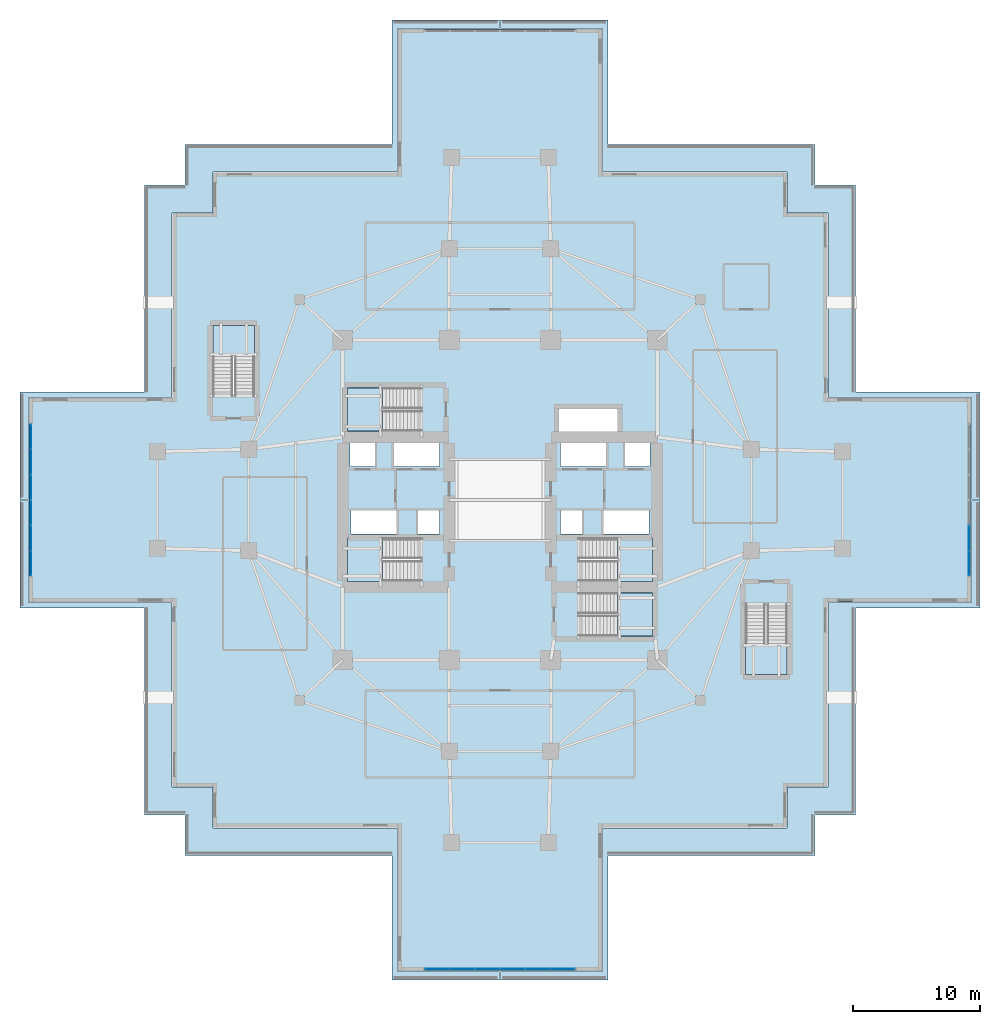
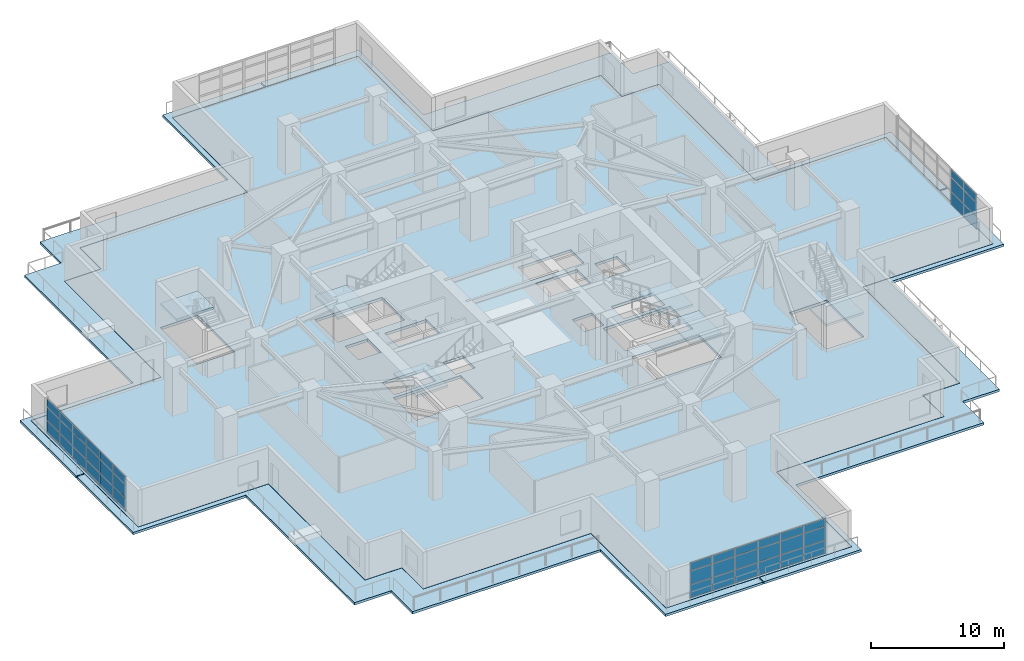
# One storey, part 13 of 24: 42 plates, 11 slabs, 9 elements without a shape of their own.
"""IFC4 building model written with IfcOpenShell, lengths in metres."""

from ifc_helpers import new_model, si_unit, direction, frame, origin, origin_2d, place, context, subcontext, project, spatial, polyline, rectangle, outline, extrude, material, layer, layer_set, type_object, element, aggregate, save


model = new_model("IFC4")

# Units and contexts
model_context = context("Model", 3, precision=1e-05, world=origin(), true_north=direction((0.0, 1.0)))
body_context = subcontext(model_context, "Body", "Model", "MODEL_VIEW")
ifc_project = project(units=[si_unit("LENGTHUNIT", "METRE"), si_unit("AREAUNIT", "SQUARE_METRE"), si_unit("VOLUMEUNIT", "CUBIC_METRE"), si_unit("PLANEANGLEUNIT", "RADIAN"), si_unit("MASSUNIT", "GRAM", prefix="KILO")], contexts=[model_context])

# Site, building, storey
site_placement = place(None, origin())
site = spatial("IfcSite", under=ifc_project, at=site_placement, CompositionType="ELEMENT")
building_placement = place(site_placement, origin())
building = spatial("IfcBuilding", under=site, at=building_placement, Name="Qingluan Cross Belvedere", CompositionType="ELEMENT")
storey_placement = place(building_placement, frame((0.0, 0.0, 14.699951171875)))
storey = spatial("IfcBuildingStorey", under=building, at=storey_placement, Name="L04", CompositionType="ELEMENT", Elevation=14.699951171875)

# Curtain wall, plates
ifc_material_1 = material(Name="Thermally broken aluminium and Low-E glass", Category="aluminium")
ifc_layer_1 = layer(ifc_material_1, 0.219970703125, Name="UnitisedCW_BallroomFoyer")
ifc_layer_set_1 = layer_set([ifc_layer_1], Name="Thermally broken aluminium and Low-E glass")
curtain_wall_type = type_object("IfcCurtainWallType", Name="UnitisedCW_BallroomFoyer", PredefinedType="USERDEFINED", material=ifc_layer_set_1)
curtain_wall_1_placement = place(storey_placement, origin())
curtain_wall_1 = element("IfcCurtainWall", 1, at=curtain_wall_1_placement, inside=storey, type_object=curtain_wall_type, Name="UnitisedCW_BallroomFoyer run env:cw:L04:S", ObjectType="UNITISED CURTAIN WALL", PredefinedType="USERDEFINED")
ifc_material_2 = material(Name="Ceramic-fritted insulated spandrel glass", Category="glass")
ifc_layer_2 = layer(ifc_material_2, 0.0439453125, Name="CWSpandrelPanel_44")
ifc_layer_set_2 = layer_set([ifc_layer_2], Name="Ceramic-fritted insulated spandrel glass")
plate_type = type_object("IfcPlateType", Name="CWSpandrelPanel_44", PredefinedType="CURTAIN_PANEL", material=ifc_layer_set_2)
plate_1_placement = place(storey_placement, frame((4.9267578125, -36.93994140625, 0.06005859375), z_axis=(0.0, 0.0, 1.0), x_axis=(-1.0, 0.0, 0.0)))
plate_1 = element("IfcPlate", 2, at=plate_1_placement, type_object=plate_type, Name="CW-P2 panel 1.1", PredefinedType="CURTAIN_PANEL", context=body_context, shape_type="SweptSolid", body=[
    extrude(rectangle(XDim=1.88671875, YDim=0.028076171875, at=origin_2d()), origin(), (0.0, 0.0, 1.0), 1.175048828125),
])
plate_2_placement = place(storey_placement, frame((4.9267578125, -36.93994140625, 1.294921875), z_axis=(0.0, 0.0, 1.0), x_axis=(-1.0, 0.0, 0.0)))
plate_2 = element("IfcPlate", 3, at=plate_2_placement, type_object=plate_type, Name="CW-P2 panel 1.2", PredefinedType="CURTAIN_PANEL", context=body_context, shape_type="SweptSolid", body=[
    extrude(rectangle(XDim=1.88671875, YDim=0.028076171875, at=origin_2d()), origin(), (0.0, 0.0, 1.0), 1.2060546875),
])
plate_3_placement = place(storey_placement, frame((4.9267578125, -36.93994140625, 2.56103515625), z_axis=(0.0, 0.0, 1.0), x_axis=(-1.0, 0.0, 0.0)))
plate_3 = element("IfcPlate", 4, at=plate_3_placement, type_object=plate_type, Name="CW-P2 panel 1.3", PredefinedType="CURTAIN_PANEL", context=body_context, shape_type="SweptSolid", body=[
    extrude(rectangle(XDim=1.88671875, YDim=0.028076171875, at=origin_2d()), origin(), (0.0, 0.0, 1.0), 0.708984375),
])
plate_4_placement = place(storey_placement, frame((2.965087890625, -36.93994140625, 0.06005859375), z_axis=(0.0, 0.0, 1.0), x_axis=(-1.0, 0.0, 0.0)))
plate_4 = element("IfcPlate", 5, at=plate_4_placement, type_object=plate_type, Name="CW-P2 panel 2.1", PredefinedType="CURTAIN_PANEL", context=body_context, shape_type="SweptSolid", body=[
    extrude(rectangle(XDim=1.916748046875, YDim=0.028076171875, at=origin_2d()), origin(), (0.0, 0.0, 1.0), 1.175048828125),
])
plate_5_placement = place(storey_placement, frame((2.965087890625, -36.93994140625, 1.294921875), z_axis=(0.0, 0.0, 1.0), x_axis=(-1.0, 0.0, 0.0)))
plate_5 = element("IfcPlate", 6, at=plate_5_placement, type_object=plate_type, Name="CW-P2 panel 2.2", PredefinedType="CURTAIN_PANEL", context=body_context, shape_type="SweptSolid", body=[
    extrude(rectangle(XDim=1.916748046875, YDim=0.028076171875, at=origin_2d()), origin(), (0.0, 0.0, 1.0), 1.2060546875),
])
plate_6_placement = place(storey_placement, frame((2.965087890625, -36.93994140625, 2.56103515625), z_axis=(0.0, 0.0, 1.0), x_axis=(-1.0, 0.0, 0.0)))
plate_6 = element("IfcPlate", 7, at=plate_6_placement, type_object=plate_type, Name="CW-P2 panel 2.3", PredefinedType="CURTAIN_PANEL", context=body_context, shape_type="SweptSolid", body=[
    extrude(rectangle(XDim=1.916748046875, YDim=0.028076171875, at=origin_2d()), origin(), (0.0, 0.0, 1.0), 0.708984375),
])
plate_7_placement = place(storey_placement, frame((0.98828125, -36.93994140625, 0.06005859375), z_axis=(0.0, 0.0, 1.0), x_axis=(-1.0, 0.0, 0.0)))
plate_7 = element("IfcPlate", 8, at=plate_7_placement, type_object=plate_type, Name="CW-P2 panel 3.1", PredefinedType="CURTAIN_PANEL", context=body_context, shape_type="SweptSolid", body=[
    extrude(rectangle(XDim=1.916748046875, YDim=0.028076171875, at=origin_2d()), origin(), (0.0, 0.0, 1.0), 1.175048828125),
])
plate_8_placement = place(storey_placement, frame((0.98828125, -36.93994140625, 1.294921875), z_axis=(0.0, 0.0, 1.0), x_axis=(-1.0, 0.0, 0.0)))
plate_8 = element("IfcPlate", 9, at=plate_8_placement, type_object=plate_type, Name="CW-P2 panel 3.2", PredefinedType="CURTAIN_PANEL", context=body_context, shape_type="SweptSolid", body=[
    extrude(rectangle(XDim=1.916748046875, YDim=0.028076171875, at=origin_2d()), origin(), (0.0, 0.0, 1.0), 1.2060546875),
])
plate_9_placement = place(storey_placement, frame((0.98828125, -36.93994140625, 2.56103515625), z_axis=(0.0, 0.0, 1.0), x_axis=(-1.0, 0.0, 0.0)))
plate_9 = element("IfcPlate", 10, at=plate_9_placement, type_object=plate_type, Name="CW-P2 panel 3.3", PredefinedType="CURTAIN_PANEL", context=body_context, shape_type="SweptSolid", body=[
    extrude(rectangle(XDim=1.916748046875, YDim=0.028076171875, at=origin_2d()), origin(), (0.0, 0.0, 1.0), 0.708984375),
])
plate_10_placement = place(storey_placement, frame((-0.98828125, -36.93994140625, 0.06005859375), z_axis=(0.0, 0.0, 1.0), x_axis=(-1.0, 0.0, 0.0)))
plate_10 = element("IfcPlate", 11, at=plate_10_placement, type_object=plate_type, Name="CW-P2 panel 4.1", PredefinedType="CURTAIN_PANEL", context=body_context, shape_type="SweptSolid", body=[
    extrude(rectangle(XDim=1.916748046875, YDim=0.028076171875, at=origin_2d()), origin(), (0.0, 0.0, 1.0), 1.175048828125),
])
plate_11_placement = place(storey_placement, frame((-0.98828125, -36.93994140625, 1.294921875), z_axis=(0.0, 0.0, 1.0), x_axis=(-1.0, 0.0, 0.0)))
plate_11 = element("IfcPlate", 12, at=plate_11_placement, type_object=plate_type, Name="CW-P2 panel 4.2", PredefinedType="CURTAIN_PANEL", context=body_context, shape_type="SweptSolid", body=[
    extrude(rectangle(XDim=1.916748046875, YDim=0.028076171875, at=origin_2d()), origin(), (0.0, 0.0, 1.0), 1.2060546875),
])
plate_12_placement = place(storey_placement, frame((-0.98828125, -36.93994140625, 2.56103515625), z_axis=(0.0, 0.0, 1.0), x_axis=(-1.0, 0.0, 0.0)))
plate_12 = element("IfcPlate", 13, at=plate_12_placement, type_object=plate_type, Name="CW-P2 panel 4.3", PredefinedType="CURTAIN_PANEL", context=body_context, shape_type="SweptSolid", body=[
    extrude(rectangle(XDim=1.916748046875, YDim=0.028076171875, at=origin_2d()), origin(), (0.0, 0.0, 1.0), 0.708984375),
])
plate_13_placement = place(storey_placement, frame((-2.965087890625, -36.93994140625, 0.06005859375), z_axis=(0.0, 0.0, 1.0), x_axis=(-1.0, 0.0, 0.0)))
plate_13 = element("IfcPlate", 14, at=plate_13_placement, type_object=plate_type, Name="CW-P2 panel 5.1", PredefinedType="CURTAIN_PANEL", context=body_context, shape_type="SweptSolid", body=[
    extrude(rectangle(XDim=1.916748046875, YDim=0.028076171875, at=origin_2d()), origin(), (0.0, 0.0, 1.0), 1.175048828125),
])
plate_14_placement = place(storey_placement, frame((-2.965087890625, -36.93994140625, 1.294921875), z_axis=(0.0, 0.0, 1.0), x_axis=(-1.0, 0.0, 0.0)))
plate_14 = element("IfcPlate", 15, at=plate_14_placement, type_object=plate_type, Name="CW-P2 panel 5.2", PredefinedType="CURTAIN_PANEL", context=body_context, shape_type="SweptSolid", body=[
    extrude(rectangle(XDim=1.916748046875, YDim=0.028076171875, at=origin_2d()), origin(), (0.0, 0.0, 1.0), 1.2060546875),
])
plate_15_placement = place(storey_placement, frame((-2.965087890625, -36.93994140625, 2.56103515625), z_axis=(0.0, 0.0, 1.0), x_axis=(-1.0, 0.0, 0.0)))
plate_15 = element("IfcPlate", 16, at=plate_15_placement, type_object=plate_type, Name="CW-P2 panel 5.3", PredefinedType="CURTAIN_PANEL", context=body_context, shape_type="SweptSolid", body=[
    extrude(rectangle(XDim=1.916748046875, YDim=0.028076171875, at=origin_2d()), origin(), (0.0, 0.0, 1.0), 0.708984375),
])
plate_16_placement = place(storey_placement, frame((-4.9267578125, -36.93994140625, 0.06005859375), z_axis=(0.0, 0.0, 1.0), x_axis=(-1.0, 0.0, 0.0)))
plate_16 = element("IfcPlate", 17, at=plate_16_placement, type_object=plate_type, Name="CW-P2 panel 6.1", PredefinedType="CURTAIN_PANEL", context=body_context, shape_type="SweptSolid", body=[
    extrude(rectangle(XDim=1.88671875, YDim=0.028076171875, at=origin_2d()), origin(), (0.0, 0.0, 1.0), 1.175048828125),
])
plate_17_placement = place(storey_placement, frame((-4.9267578125, -36.93994140625, 1.294921875), z_axis=(0.0, 0.0, 1.0), x_axis=(-1.0, 0.0, 0.0)))
plate_17 = element("IfcPlate", 18, at=plate_17_placement, type_object=plate_type, Name="CW-P2 panel 6.2", PredefinedType="CURTAIN_PANEL", context=body_context, shape_type="SweptSolid", body=[
    extrude(rectangle(XDim=1.88671875, YDim=0.028076171875, at=origin_2d()), origin(), (0.0, 0.0, 1.0), 1.2060546875),
])
plate_18_placement = place(storey_placement, frame((-4.9267578125, -36.93994140625, 2.56103515625), z_axis=(0.0, 0.0, 1.0), x_axis=(-1.0, 0.0, 0.0)))
plate_18 = element("IfcPlate", 19, at=plate_18_placement, type_object=plate_type, Name="CW-P2 panel 6.3", PredefinedType="CURTAIN_PANEL", context=body_context, shape_type="SweptSolid", body=[
    extrude(rectangle(XDim=1.88671875, YDim=0.028076171875, at=origin_2d()), origin(), (0.0, 0.0, 1.0), 0.708984375),
])
aggregate(curtain_wall_1, [plate_1, plate_2, plate_3, plate_4, plate_5, plate_6, plate_7, plate_8, plate_9, plate_10, plate_11, plate_12, plate_13, plate_14, plate_15, plate_16, plate_17, plate_18])

curtain_wall_2_placement = place(storey_placement, origin())
curtain_wall_2 = element("IfcCurtainWall", 20, at=curtain_wall_2_placement, inside=storey, type_object=curtain_wall_type, Name="UnitisedCW_BallroomFoyer run env:cw:L04:W", ObjectType="UNITISED CURTAIN WALL", PredefinedType="USERDEFINED")
plate_19_placement = place(storey_placement, frame((-36.93994140625, -4.985107421875, 0.06005859375), z_axis=(0.0, 0.0, 1.0), x_axis=(0.0, 1.0, 0.0)))
plate_19 = element("IfcPlate", 21, at=plate_19_placement, type_object=plate_type, Name="CW-P2 panel 1.1", PredefinedType="CURTAIN_PANEL", context=body_context, shape_type="SweptSolid", body=[
    extrude(rectangle(XDim=1.909912109375, YDim=0.028076171875, at=origin_2d()), origin(), (0.0, 0.0, 1.0), 1.175048828125),
])
plate_20_placement = place(storey_placement, frame((-36.93994140625, -4.985107421875, 1.294921875), z_axis=(0.0, 0.0, 1.0), x_axis=(0.0, 1.0, 0.0)))
plate_20 = element("IfcPlate", 22, at=plate_20_placement, type_object=plate_type, Name="CW-P2 panel 1.2", PredefinedType="CURTAIN_PANEL", context=body_context, shape_type="SweptSolid", body=[
    extrude(rectangle(XDim=1.909912109375, YDim=0.028076171875, at=origin_2d()), origin(), (0.0, 0.0, 1.0), 1.2060546875),
])
plate_21_placement = place(storey_placement, frame((-36.93994140625, -4.985107421875, 2.56103515625), z_axis=(0.0, 0.0, 1.0), x_axis=(0.0, 1.0, 0.0)))
plate_21 = element("IfcPlate", 23, at=plate_21_placement, type_object=plate_type, Name="CW-P2 panel 1.3", PredefinedType="CURTAIN_PANEL", context=body_context, shape_type="SweptSolid", body=[
    extrude(rectangle(XDim=1.909912109375, YDim=0.028076171875, at=origin_2d()), origin(), (0.0, 0.0, 1.0), 0.708984375),
])
plate_22_placement = place(storey_placement, frame((-36.93994140625, -3.0, 0.06005859375), z_axis=(0.0, 0.0, 1.0), x_axis=(0.0, 1.0, 0.0)))
plate_22 = element("IfcPlate", 24, at=plate_22_placement, type_object=plate_type, Name="CW-P2 panel 2.1", PredefinedType="CURTAIN_PANEL", context=body_context, shape_type="SweptSolid", body=[
    extrude(rectangle(XDim=1.93994140625, YDim=0.028076171875, at=origin_2d()), origin(), (0.0, 0.0, 1.0), 1.175048828125),
])
plate_23_placement = place(storey_placement, frame((-36.93994140625, -3.0, 1.294921875), z_axis=(0.0, 0.0, 1.0), x_axis=(0.0, 1.0, 0.0)))
plate_23 = element("IfcPlate", 25, at=plate_23_placement, type_object=plate_type, Name="CW-P2 panel 2.2", PredefinedType="CURTAIN_PANEL", context=body_context, shape_type="SweptSolid", body=[
    extrude(rectangle(XDim=1.93994140625, YDim=0.028076171875, at=origin_2d()), origin(), (0.0, 0.0, 1.0), 1.2060546875),
])
plate_24_placement = place(storey_placement, frame((-36.93994140625, -3.0, 2.56103515625), z_axis=(0.0, 0.0, 1.0), x_axis=(0.0, 1.0, 0.0)))
plate_24 = element("IfcPlate", 26, at=plate_24_placement, type_object=plate_type, Name="CW-P2 panel 2.3", PredefinedType="CURTAIN_PANEL", context=body_context, shape_type="SweptSolid", body=[
    extrude(rectangle(XDim=1.93994140625, YDim=0.028076171875, at=origin_2d()), origin(), (0.0, 0.0, 1.0), 0.708984375),
])
plate_25_placement = place(storey_placement, frame((-36.93994140625, -1.0, 0.06005859375), z_axis=(0.0, 0.0, 1.0), x_axis=(0.0, 1.0, 0.0)))
plate_25 = element("IfcPlate", 27, at=plate_25_placement, type_object=plate_type, Name="CW-P2 panel 3.1", PredefinedType="CURTAIN_PANEL", context=body_context, shape_type="SweptSolid", body=[
    extrude(rectangle(XDim=1.93994140625, YDim=0.028076171875, at=origin_2d()), origin(), (0.0, 0.0, 1.0), 1.175048828125),
])
plate_26_placement = place(storey_placement, frame((-36.93994140625, -1.0, 1.294921875), z_axis=(0.0, 0.0, 1.0), x_axis=(0.0, 1.0, 0.0)))
plate_26 = element("IfcPlate", 28, at=plate_26_placement, type_object=plate_type, Name="CW-P2 panel 3.2", PredefinedType="CURTAIN_PANEL", context=body_context, shape_type="SweptSolid", body=[
    extrude(rectangle(XDim=1.93994140625, YDim=0.028076171875, at=origin_2d()), origin(), (0.0, 0.0, 1.0), 1.2060546875),
])
plate_27_placement = place(storey_placement, frame((-36.93994140625, -1.0, 2.56103515625), z_axis=(0.0, 0.0, 1.0), x_axis=(0.0, 1.0, 0.0)))
plate_27 = element("IfcPlate", 29, at=plate_27_placement, type_object=plate_type, Name="CW-P2 panel 3.3", PredefinedType="CURTAIN_PANEL", context=body_context, shape_type="SweptSolid", body=[
    extrude(rectangle(XDim=1.93994140625, YDim=0.028076171875, at=origin_2d()), origin(), (0.0, 0.0, 1.0), 0.708984375),
])
plate_28_placement = place(storey_placement, frame((-36.93994140625, 1.0, 0.06005859375), z_axis=(0.0, 0.0, 1.0), x_axis=(0.0, 1.0, 0.0)))
plate_28 = element("IfcPlate", 30, at=plate_28_placement, type_object=plate_type, Name="CW-P2 panel 4.1", PredefinedType="CURTAIN_PANEL", context=body_context, shape_type="SweptSolid", body=[
    extrude(rectangle(XDim=1.93994140625, YDim=0.028076171875, at=origin_2d()), origin(), (0.0, 0.0, 1.0), 1.175048828125),
])
plate_29_placement = place(storey_placement, frame((-36.93994140625, 1.0, 1.294921875), z_axis=(0.0, 0.0, 1.0), x_axis=(0.0, 1.0, 0.0)))
plate_29 = element("IfcPlate", 31, at=plate_29_placement, type_object=plate_type, Name="CW-P2 panel 4.2", PredefinedType="CURTAIN_PANEL", context=body_context, shape_type="SweptSolid", body=[
    extrude(rectangle(XDim=1.93994140625, YDim=0.028076171875, at=origin_2d()), origin(), (0.0, 0.0, 1.0), 1.2060546875),
])
plate_30_placement = place(storey_placement, frame((-36.93994140625, 1.0, 2.56103515625), z_axis=(0.0, 0.0, 1.0), x_axis=(0.0, 1.0, 0.0)))
plate_30 = element("IfcPlate", 32, at=plate_30_placement, type_object=plate_type, Name="CW-P2 panel 4.3", PredefinedType="CURTAIN_PANEL", context=body_context, shape_type="SweptSolid", body=[
    extrude(rectangle(XDim=1.93994140625, YDim=0.028076171875, at=origin_2d()), origin(), (0.0, 0.0, 1.0), 0.708984375),
])
plate_31_placement = place(storey_placement, frame((-36.93994140625, 3.0, 0.06005859375), z_axis=(0.0, 0.0, 1.0), x_axis=(0.0, 1.0, 0.0)))
plate_31 = element("IfcPlate", 33, at=plate_31_placement, type_object=plate_type, Name="CW-P2 panel 5.1", PredefinedType="CURTAIN_PANEL", context=body_context, shape_type="SweptSolid", body=[
    extrude(rectangle(XDim=1.93994140625, YDim=0.028076171875, at=origin_2d()), origin(), (0.0, 0.0, 1.0), 1.175048828125),
])
plate_32_placement = place(storey_placement, frame((-36.93994140625, 3.0, 1.294921875), z_axis=(0.0, 0.0, 1.0), x_axis=(0.0, 1.0, 0.0)))
plate_32 = element("IfcPlate", 34, at=plate_32_placement, type_object=plate_type, Name="CW-P2 panel 5.2", PredefinedType="CURTAIN_PANEL", context=body_context, shape_type="SweptSolid", body=[
    extrude(rectangle(XDim=1.93994140625, YDim=0.028076171875, at=origin_2d()), origin(), (0.0, 0.0, 1.0), 1.2060546875),
])
plate_33_placement = place(storey_placement, frame((-36.93994140625, 3.0, 2.56103515625), z_axis=(0.0, 0.0, 1.0), x_axis=(0.0, 1.0, 0.0)))
plate_33 = element("IfcPlate", 35, at=plate_33_placement, type_object=plate_type, Name="CW-P2 panel 5.3", PredefinedType="CURTAIN_PANEL", context=body_context, shape_type="SweptSolid", body=[
    extrude(rectangle(XDim=1.93994140625, YDim=0.028076171875, at=origin_2d()), origin(), (0.0, 0.0, 1.0), 0.708984375),
])
plate_34_placement = place(storey_placement, frame((-36.93994140625, 4.985107421875, 0.06005859375), z_axis=(0.0, 0.0, 1.0), x_axis=(0.0, 1.0, 0.0)))
plate_34 = element("IfcPlate", 36, at=plate_34_placement, type_object=plate_type, Name="CW-P2 panel 6.1", PredefinedType="CURTAIN_PANEL", context=body_context, shape_type="SweptSolid", body=[
    extrude(rectangle(XDim=1.909912109375, YDim=0.028076171875, at=origin_2d()), origin(), (0.0, 0.0, 1.0), 1.175048828125),
])
plate_35_placement = place(storey_placement, frame((-36.93994140625, 4.985107421875, 1.294921875), z_axis=(0.0, 0.0, 1.0), x_axis=(0.0, 1.0, 0.0)))
plate_35 = element("IfcPlate", 37, at=plate_35_placement, type_object=plate_type, Name="CW-P2 panel 6.2", PredefinedType="CURTAIN_PANEL", context=body_context, shape_type="SweptSolid", body=[
    extrude(rectangle(XDim=1.909912109375, YDim=0.028076171875, at=origin_2d()), origin(), (0.0, 0.0, 1.0), 1.2060546875),
])
plate_36_placement = place(storey_placement, frame((-36.93994140625, 4.985107421875, 2.56103515625), z_axis=(0.0, 0.0, 1.0), x_axis=(0.0, 1.0, 0.0)))
plate_36 = element("IfcPlate", 38, at=plate_36_placement, type_object=plate_type, Name="CW-P2 panel 6.3", PredefinedType="CURTAIN_PANEL", context=body_context, shape_type="SweptSolid", body=[
    extrude(rectangle(XDim=1.909912109375, YDim=0.028076171875, at=origin_2d()), origin(), (0.0, 0.0, 1.0), 0.708984375),
])
aggregate(curtain_wall_2, [plate_19, plate_20, plate_21, plate_22, plate_23, plate_24, plate_25, plate_26, plate_27, plate_28, plate_29, plate_30, plate_31, plate_32, plate_33, plate_34, plate_35, plate_36])

curtain_wall_3_placement = place(storey_placement, origin())
curtain_wall_3 = element("IfcCurtainWall", 39, at=curtain_wall_3_placement, inside=storey, type_object=curtain_wall_type, Name="UnitisedCW_BallroomFoyer run env:cw:L04:E", ObjectType="UNITISED CURTAIN WALL", PredefinedType="USERDEFINED")
plate_37_placement = place(storey_placement, frame((36.93994140625, -3.0, 0.06005859375), z_axis=(0.0, 0.0, 1.0), x_axis=(0.0, -1.0, 0.0)))
plate_37 = element("IfcPlate", 40, at=plate_37_placement, type_object=plate_type, Name="CW-P2 panel 5.1", PredefinedType="CURTAIN_PANEL", context=body_context, shape_type="SweptSolid", body=[
    extrude(rectangle(XDim=1.93994140625, YDim=0.028076171875, at=origin_2d()), origin(), (0.0, 0.0, 1.0), 1.175048828125),
])
plate_38_placement = place(storey_placement, frame((36.93994140625, -3.0, 1.294921875), z_axis=(0.0, 0.0, 1.0), x_axis=(0.0, -1.0, 0.0)))
plate_38 = element("IfcPlate", 41, at=plate_38_placement, type_object=plate_type, Name="CW-P2 panel 5.2", PredefinedType="CURTAIN_PANEL", context=body_context, shape_type="SweptSolid", body=[
    extrude(rectangle(XDim=1.93994140625, YDim=0.028076171875, at=origin_2d()), origin(), (0.0, 0.0, 1.0), 1.2060546875),
])
plate_39_placement = place(storey_placement, frame((36.93994140625, -3.0, 2.56103515625), z_axis=(0.0, 0.0, 1.0), x_axis=(0.0, -1.0, 0.0)))
plate_39 = element("IfcPlate", 42, at=plate_39_placement, type_object=plate_type, Name="CW-P2 panel 5.3", PredefinedType="CURTAIN_PANEL", context=body_context, shape_type="SweptSolid", body=[
    extrude(rectangle(XDim=1.93994140625, YDim=0.028076171875, at=origin_2d()), origin(), (0.0, 0.0, 1.0), 0.708984375),
])
plate_40_placement = place(storey_placement, frame((36.93994140625, -4.985107421875, 0.06005859375), z_axis=(0.0, 0.0, 1.0), x_axis=(0.0, -1.0, 0.0)))
plate_40 = element("IfcPlate", 43, at=plate_40_placement, type_object=plate_type, Name="CW-P2 panel 6.1", PredefinedType="CURTAIN_PANEL", context=body_context, shape_type="SweptSolid", body=[
    extrude(rectangle(XDim=1.909912109375, YDim=0.028076171875, at=origin_2d()), origin(), (0.0, 0.0, 1.0), 1.175048828125),
])
plate_41_placement = place(storey_placement, frame((36.93994140625, -4.985107421875, 1.294921875), z_axis=(0.0, 0.0, 1.0), x_axis=(0.0, -1.0, 0.0)))
plate_41 = element("IfcPlate", 44, at=plate_41_placement, type_object=plate_type, Name="CW-P2 panel 6.2", PredefinedType="CURTAIN_PANEL", context=body_context, shape_type="SweptSolid", body=[
    extrude(rectangle(XDim=1.909912109375, YDim=0.028076171875, at=origin_2d()), origin(), (0.0, 0.0, 1.0), 1.2060546875),
])
plate_42_placement = place(storey_placement, frame((36.93994140625, -4.985107421875, 2.56103515625), z_axis=(0.0, 0.0, 1.0), x_axis=(0.0, -1.0, 0.0)))
plate_42 = element("IfcPlate", 45, at=plate_42_placement, type_object=plate_type, Name="CW-P2 panel 6.3", PredefinedType="CURTAIN_PANEL", context=body_context, shape_type="SweptSolid", body=[
    extrude(rectangle(XDim=1.909912109375, YDim=0.028076171875, at=origin_2d()), origin(), (0.0, 0.0, 1.0), 0.708984375),
])
aggregate(curtain_wall_3, [plate_37, plate_38, plate_39, plate_40, plate_41, plate_42])

# Slab
ifc_material_3 = material(Name="Concrete C40", Category="concrete")
ifc_layer_3 = layer(ifc_material_3, 0.25, Name="FloorSlab_250")
ifc_layer_set_3 = layer_set([ifc_layer_3], Name="Concrete C40")
slab_type_1 = type_object("IfcSlabType", Name="FloorSlab_250", PredefinedType="FLOOR", material=ifc_layer_set_3)
slab_1_placement = place(storey_placement, frame((0.0, 0.0, -0.25)))
element("IfcSlab", 46, at=slab_1_placement, inside=storey, type_object=slab_type_1, Name="Structural floor slab L04", PredefinedType="FLOOR", context=body_context, shape_type="SweptSolid", body=[
    extrude(outline(polyline([(22.60009765625, -25.800048828125), (22.60009765625, -22.60009765625), (25.800048828125, -22.60009765625), (25.800048828125, -8.050048828125), (37.10009765625, -8.050048828125), (37.10009765625, 8.050048828125), (25.800048828125, 8.050048828125), (25.800048828125, 22.60009765625), (22.60009765625, 22.60009765625), (22.60009765625, 25.800048828125), (8.050048828125, 25.800048828125), (8.050048828125, 37.10009765625), (-8.050048828125, 37.10009765625), (-8.050048828125, 25.800048828125), (-22.60009765625, 25.800048828125), (-22.60009765625, 22.60009765625), (-25.800048828125, 22.60009765625), (-25.800048828125, 8.050048828125), (-37.10009765625, 8.050048828125), (-37.10009765625, -8.050048828125), (-25.800048828125, -8.050048828125), (-25.800048828125, -22.60009765625), (-22.60009765625, -22.60009765625), (-22.60009765625, -25.800048828125), (-8.050048828125, -25.800048828125), (-8.050048828125, -37.10009765625), (8.050048828125, -37.10009765625), (8.050048828125, -25.800048828125), (22.60009765625, -25.800048828125)]), holes=[polyline([(-12.0, -3.0), (-6.179931640625, -3.0), (-6.179931640625, -6.39990234375), (-12.0, -6.39990234375), (-12.0, -3.0)]), polyline([(6.179931640625, -3.0), (12.0, -3.0), (12.0, -6.39990234375), (6.179931640625, -6.39990234375), (6.179931640625, -3.0)]), polyline([(-12.0, 8.820068359375), (-6.179931640625, 8.820068359375), (-6.179931640625, 5.419921875), (-12.0, 5.419921875), (-12.0, 8.820068359375)]), polyline([(6.179931640625, -7.320068359375), (12.0, -7.320068359375), (12.0, -10.719970703125), (6.179931640625, -10.719970703125), (6.179931640625, -7.320068359375)]), polyline([(-22.60009765625, 13.72998046875), (-19.340087890625, 13.72998046875), (-19.340087890625, 8.2099609375), (-22.60009765625, 8.2099609375), (-22.60009765625, 13.72998046875)]), polyline([(19.340087890625, -8.2099609375), (22.60009765625, -8.2099609375), (22.60009765625, -13.72998046875), (19.340087890625, -13.72998046875), (19.340087890625, -8.2099609375)]), polyline([(-11.800048828125, 4.64990234375), (-9.85009765625, 4.64990234375), (-9.85009765625, 2.64990234375), (-11.800048828125, 2.64990234375), (-11.800048828125, 4.64990234375)]), polyline([(-8.35009765625, 4.64990234375), (-4.75, 4.64990234375), (-4.75, 2.64990234375), (-8.35009765625, 2.64990234375), (-8.35009765625, 4.64990234375)]), polyline([(4.75, 4.64990234375), (8.35009765625, 4.64990234375), (8.35009765625, 2.64990234375), (4.75, 2.64990234375), (4.75, 4.64990234375)]), polyline([(9.85009765625, 4.64990234375), (11.800048828125, 4.64990234375), (11.800048828125, 2.64990234375), (9.85009765625, 2.64990234375), (9.85009765625, 4.64990234375)]), polyline([(-11.75, -0.840087890625), (-8.14990234375, -0.840087890625), (-8.14990234375, -2.659912109375), (-11.75, -2.659912109375), (-11.75, -0.840087890625)]), polyline([(-6.449951171875, -0.840087890625), (-4.75, -0.840087890625), (-4.75, -2.659912109375), (-6.449951171875, -2.659912109375), (-6.449951171875, -0.840087890625)]), polyline([(4.75, -0.840087890625), (6.449951171875, -0.840087890625), (6.449951171875, -2.659912109375), (4.75, -2.659912109375), (4.75, -0.840087890625)]), polyline([(8.14990234375, -0.840087890625), (11.75, -0.840087890625), (11.75, -2.659912109375), (8.14990234375, -2.659912109375), (8.14990234375, -0.840087890625)]), polyline([(4.64990234375, 7.14990234375), (9.25, 7.14990234375), (9.25, 5.14990234375), (4.64990234375, 5.14990234375), (4.64990234375, 7.14990234375)])]), origin(), (0.0, 0.0, 1.0), 0.25),
])

# Stair, slab
ifc_material_4 = material(Name="Concrete C40", Category="concrete")
stair_type_1 = type_object("IfcStairType", Name="CoreDoglegStair_1620", PredefinedType="HALF_TURN_STAIR", material=ifc_material_4)
stair_1_placement = place(storey_placement, origin())
stair_1 = element("IfcStair", 47, at=stair_1_placement, inside=storey, type_object=stair_type_1, Name="L04 ST1", PredefinedType="HALF_TURN_STAIR")
ifc_material_5 = material(Name="Concrete C40", Category="concrete")
ifc_layer_4 = layer(ifc_material_5, 0.179931640625, Name="StairLandingSlab_180")
ifc_layer_set_4 = layer_set([ifc_layer_4], Name="Concrete C40")
slab_type_2 = type_object("IfcSlabType", Name="StairLandingSlab_180", PredefinedType="LANDING", material=ifc_layer_set_4)
slab_2_placement = place(storey_placement, frame((0.0, 0.0, 2.050048828125)))
slab_2 = element("IfcSlab", 48, at=slab_2_placement, type_object=slab_type_2, Name="ST1 landing 1", PredefinedType="LANDING", context=body_context, shape_type="SweptSolid", body=[
    extrude(outline(polyline([(-9.260009765625, -3.0), (-12.0, -3.0), (-12.0, -6.39990234375), (-9.260009765625, -6.39990234375), (-9.260009765625, -3.0)])), origin(), (0.0, 0.0, 1.0), 0.199951171875),
])
aggregate(stair_1, [slab_2])

stair_2_placement = place(storey_placement, origin())
stair_2 = element("IfcStair", 49, at=stair_2_placement, inside=storey, type_object=stair_type_1, Name="L04 ST2", PredefinedType="HALF_TURN_STAIR")
slab_3_placement = place(storey_placement, frame((0.0, 0.0, 2.050048828125)))
slab_3 = element("IfcSlab", 50, at=slab_3_placement, type_object=slab_type_2, Name="ST2 landing 1", PredefinedType="LANDING", context=body_context, shape_type="SweptSolid", body=[
    extrude(outline(polyline([(9.260009765625, -6.39990234375), (12.0, -6.39990234375), (12.0, -3.0), (9.260009765625, -3.0), (9.260009765625, -6.39990234375)])), origin(), (0.0, 0.0, 1.0), 0.199951171875),
])
aggregate(stair_2, [slab_3])

stair_3_placement = place(storey_placement, origin())
stair_3 = element("IfcStair", 51, at=stair_3_placement, inside=storey, type_object=stair_type_1, Name="L04 ST3", PredefinedType="HALF_TURN_STAIR")
slab_4_placement = place(storey_placement, frame((0.0, 0.0, 2.050048828125)))
slab_4 = element("IfcSlab", 52, at=slab_4_placement, type_object=slab_type_2, Name="ST3 landing 1", PredefinedType="LANDING", context=body_context, shape_type="SweptSolid", body=[
    extrude(outline(polyline([(-9.260009765625, 8.820068359375), (-12.0, 8.820068359375), (-12.0, 5.419921875), (-9.260009765625, 5.419921875), (-9.260009765625, 8.820068359375)])), origin(), (0.0, 0.0, 1.0), 0.199951171875),
])
aggregate(stair_3, [slab_4])

stair_4_placement = place(storey_placement, origin())
stair_4 = element("IfcStair", 53, at=stair_4_placement, inside=storey, type_object=stair_type_1, Name="L04 ST4", PredefinedType="HALF_TURN_STAIR")
slab_5_placement = place(storey_placement, frame((0.0, 0.0, 2.050048828125)))
slab_5 = element("IfcSlab", 54, at=slab_5_placement, type_object=slab_type_2, Name="ST4 landing 1", PredefinedType="LANDING", context=body_context, shape_type="SweptSolid", body=[
    extrude(outline(polyline([(9.260009765625, -10.719970703125), (12.0, -10.719970703125), (12.0, -7.320068359375), (9.260009765625, -7.320068359375), (9.260009765625, -10.719970703125)])), origin(), (0.0, 0.0, 1.0), 0.199951171875),
])
aggregate(stair_4, [slab_5])

ifc_material_6 = material(Name="Concrete C40", Category="concrete")
stair_type_2 = type_object("IfcStairType", Name="PodiumExitStair_1550", PredefinedType="HALF_TURN_STAIR", material=ifc_material_6)
stair_5_placement = place(storey_placement, origin())
stair_5 = element("IfcStair", 55, at=stair_5_placement, inside=storey, type_object=stair_type_2, Name="L04 ST5", PredefinedType="HALF_TURN_STAIR")
slab_6_placement = place(storey_placement, frame((0.0, 0.0, 2.050048828125)))
slab_6 = element("IfcSlab", 56, at=slab_6_placement, type_object=slab_type_2, Name="ST5 landing 1", PredefinedType="LANDING", context=body_context, shape_type="SweptSolid", body=[
    extrude(outline(polyline([(-19.340087890625, 11.2900390625), (-19.340087890625, 13.72998046875), (-22.60009765625, 13.72998046875), (-22.60009765625, 11.2900390625), (-19.340087890625, 11.2900390625)])), origin(), (0.0, 0.0, 1.0), 0.199951171875),
])
aggregate(stair_5, [slab_6])

stair_6_placement = place(storey_placement, origin())
stair_6 = element("IfcStair", 57, at=stair_6_placement, inside=storey, type_object=stair_type_2, Name="L04 ST6", PredefinedType="HALF_TURN_STAIR")
slab_7_placement = place(storey_placement, frame((0.0, 0.0, 2.050048828125)))
slab_7 = element("IfcSlab", 58, at=slab_7_placement, type_object=slab_type_2, Name="ST6 landing 1", PredefinedType="LANDING", context=body_context, shape_type="SweptSolid", body=[
    extrude(outline(polyline([(19.340087890625, -11.2900390625), (19.340087890625, -13.72998046875), (22.60009765625, -13.72998046875), (22.60009765625, -11.2900390625), (19.340087890625, -11.2900390625)])), origin(), (0.0, 0.0, 1.0), 0.199951171875),
])
aggregate(stair_6, [slab_7])

# Slabs
ifc_material_7 = material(Name="Concrete C40", Category="concrete")
ifc_layer_5 = layer(ifc_material_7, 0.219970703125, Name="TerraceSlab_220")
ifc_layer_set_5 = layer_set([ifc_layer_5], Name="Concrete C40")
slab_type_3 = type_object("IfcSlabType", Name="TerraceSlab_220", PredefinedType="FLOOR", material=ifc_layer_set_5)
slab_8_placement = place(storey_placement, frame((0.0, 0.0, -0.219970703125)))
element("IfcSlab", 59, at=slab_8_placement, inside=storey, type_object=slab_type_3, Name="Cascading garden terrace deck L04-1", PredefinedType="FLOOR", context=body_context, shape_type="SweptSolid", body=[
    extrude(outline(polyline([(0.050048828125, 37.800048828125), (0.050048828125, 37.1201171875), (8.066650390625, 37.111083984375), (8.070068359375, 25.820068359375), (22.614013671875, 25.814208984375), (22.6201171875, 22.6201171875), (25.800048828125, 22.6201171875), (25.819580078125, 22.60400390625), (25.820068359375, 8.070068359375), (37.111083984375, 8.066650390625), (37.1201171875, 0.050048828125), (37.800048828125, 0.050048828125), (37.800048828125, 8.5), (28.0, 8.5), (28.0, 24.800048828125), (24.800048828125, 24.800048828125), (24.800048828125, 28.0), (8.5, 28.0), (8.5, 37.800048828125), (0.050048828125, 37.800048828125)])), origin(), (0.0, 0.0, 1.0), 0.219970703125),
])
slab_9_placement = place(storey_placement, frame((0.0, 0.0, -0.219970703125)))
element("IfcSlab", 60, at=slab_9_placement, inside=storey, type_object=slab_type_3, Name="Cascading garden terrace deck L04-2", PredefinedType="FLOOR", context=body_context, shape_type="SweptSolid", body=[
    extrude(outline(polyline([(-37.800048828125, 0.050048828125), (-37.1201171875, 0.050048828125), (-37.111083984375, 8.066650390625), (-25.820068359375, 8.070068359375), (-25.814208984375, 22.614013671875), (-22.6201171875, 22.6201171875), (-22.6201171875, 25.800048828125), (-22.60400390625, 25.819580078125), (-8.070068359375, 25.820068359375), (-8.066650390625, 37.111083984375), (-0.050048828125, 37.1201171875), (-0.050048828125, 37.800048828125), (-8.5, 37.800048828125), (-8.5, 28.0), (-24.800048828125, 28.0), (-24.800048828125, 24.800048828125), (-28.0, 24.800048828125), (-28.0, 8.5), (-37.800048828125, 8.5), (-37.800048828125, 0.050048828125)])), origin(), (0.0, 0.0, 1.0), 0.219970703125),
])
slab_10_placement = place(storey_placement, frame((0.0, 0.0, -0.219970703125)))
element("IfcSlab", 61, at=slab_10_placement, inside=storey, type_object=slab_type_3, Name="Cascading garden terrace deck L04-3", PredefinedType="FLOOR", context=body_context, shape_type="SweptSolid", body=[
    extrude(outline(polyline([(-0.050048828125, -37.800048828125), (-0.050048828125, -37.1201171875), (-8.066650390625, -37.111083984375), (-8.070068359375, -25.820068359375), (-22.614013671875, -25.814208984375), (-22.6201171875, -22.6201171875), (-25.800048828125, -22.6201171875), (-25.819580078125, -22.60400390625), (-25.820068359375, -8.070068359375), (-37.111083984375, -8.066650390625), (-37.1201171875, -0.050048828125), (-37.800048828125, -0.050048828125), (-37.800048828125, -8.5), (-28.0, -8.5), (-28.0, -24.800048828125), (-24.800048828125, -24.800048828125), (-24.800048828125, -28.0), (-8.5, -28.0), (-8.5, -37.800048828125), (-0.050048828125, -37.800048828125)])), origin(), (0.0, 0.0, 1.0), 0.219970703125),
])
slab_11_placement = place(storey_placement, frame((0.0, 0.0, -0.219970703125)))
element("IfcSlab", 62, at=slab_11_placement, inside=storey, type_object=slab_type_3, Name="Cascading garden terrace deck L04-4", PredefinedType="FLOOR", context=body_context, shape_type="SweptSolid", body=[
    extrude(outline(polyline([(8.5, -37.800048828125), (8.5, -28.0), (24.800048828125, -28.0), (24.800048828125, -24.800048828125), (28.0, -24.800048828125), (28.0, -8.5), (37.800048828125, -8.5), (37.800048828125, -0.050048828125), (37.1201171875, -0.050048828125), (37.111083984375, -8.066650390625), (25.820068359375, -8.070068359375), (25.819580078125, -22.60400390625), (25.800048828125, -22.6201171875), (22.6201171875, -22.6201171875), (22.614013671875, -25.814208984375), (8.070068359375, -25.820068359375), (8.066650390625, -37.111083984375), (0.050048828125, -37.1201171875), (0.050048828125, -37.800048828125), (8.5, -37.800048828125)])), origin(), (0.0, 0.0, 1.0), 0.219970703125),
])

save(model, "model.ifc")
